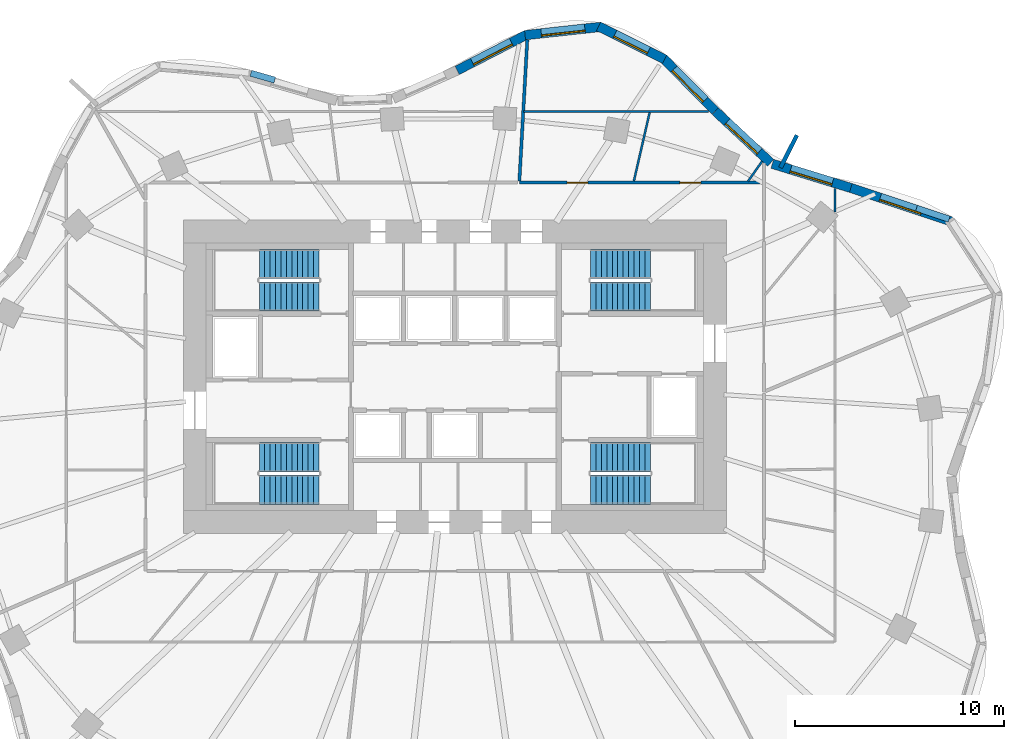
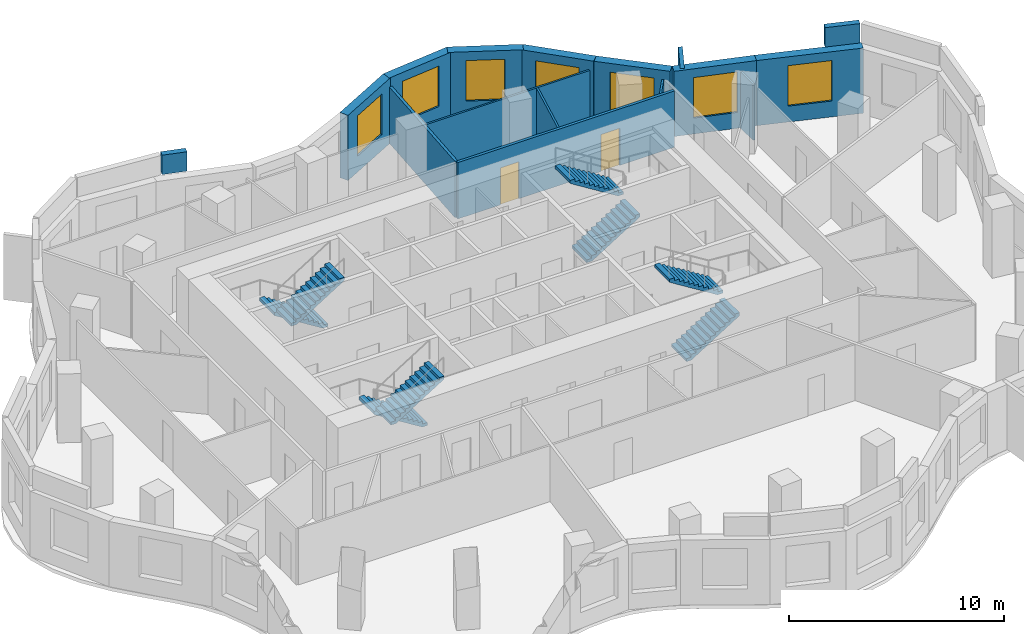
# One storey, part 8 of 9: 16 walls, 8 stair flights, 7 windows, 2 doors, 9 openings, 4 elements without a shape of their own.
"""IFC4 building model written with IfcOpenShell, lengths in metres."""

from ifc_helpers import new_model, si_unit, direction, frame, frame_2d, origin, place, context, subcontext, project, spatial, polyline, rectangle, outline, extrude, material, layer, layer_set, type_object, element, fill, aggregate, save


model = new_model("IFC4")

# Units and contexts
model_context = context("Model", 3, precision=1e-05, world=origin(), true_north=direction((0.0, 1.0)))
body_context = subcontext(model_context, "Body", "Model", "MODEL_VIEW")
ifc_project = project(units=[si_unit("LENGTHUNIT", "METRE"), si_unit("AREAUNIT", "SQUARE_METRE"), si_unit("VOLUMEUNIT", "CUBIC_METRE"), si_unit("PLANEANGLEUNIT", "RADIAN"), si_unit("MASSUNIT", "GRAM", prefix="KILO")], contexts=[model_context])

# Site, building, storey
site_placement = place(None, origin())
site = spatial("IfcSite", under=ifc_project, at=site_placement, CompositionType="ELEMENT")
building_placement = place(site_placement, origin())
building = spatial("IfcBuilding", under=site, at=building_placement, Name="Rubra Terraces Tower", CompositionType="ELEMENT")
storey_placement = place(building_placement, frame((0.0, 0.0, 142.199951171875)))
storey = spatial("IfcBuildingStorey", under=building, at=storey_placement, Name="L34", CompositionType="ELEMENT", Elevation=142.199951171875)

# Wall, opening, window
ifc_material_1 = material(Name="Brick masonry red-brown", Category="masonry")
ifc_layer_1 = layer(ifc_material_1, 0.449951171875)
ifc_layer_set_1 = layer_set([ifc_layer_1], Name="Brick masonry red-brown")
wall_type_1 = type_object("IfcWallType", Name="Brick facade wall 450", PredefinedType="SOLIDWALL", material=ifc_layer_set_1)
wall_1_placement = place(storey_placement, frame((23.769775390625, 11.93798828125, 0.0), z_axis=(0.0, 0.0, 1.0), x_axis=(-0.948673679101, 0.316256621402, 0.0)))
wall_1 = element("IfcWall", 1, at=wall_1_placement, inside=storey, type_object=wall_type_1, Name="Facade wall L34 bay 4", PredefinedType="SOLIDWALL", context=body_context, shape_type="SweptSolid", body=[
    extrude(rectangle(XDim=5.076416015625, YDim=0.449951171875, at=frame_2d((2.5380859375, 0.0))), origin(), (0.0, 0.0, 1.0), 3.699951171875),
])
opening_1_placement = place(wall_1_placement, frame((1.48828125, 0.0, 0.89990234375)))
opening_1 = element("IfcOpeningElement", 2, at=opening_1_placement, cuts=wall_1, Name="Opening W1B", PredefinedType="OPENING", context=body_context, shape_type="SweptSolid", body=[
    extrude(rectangle(XDim=2.10009765625, YDim=2.300048828125, at=frame_2d((1.050048828125, 1.14990234375))), frame((0.0, 0.23486328125, 0.0), z_axis=(0.0, -1.0, 0.0), x_axis=(1.0, 0.0, 0.0)), (0.0, 0.0, 1.0), 0.469970703125),
])
ifc_material_2 = material(Name="Clear glass in aluminium frame", Category="aluminium")
window_type_1 = type_object("IfcWindowType", Name="Fixed deep-set window tall storey 2100 x 2300", PartitioningType="SINGLE_PANEL", PredefinedType="WINDOW", material=ifc_material_2)
window_1_placement = place(opening_1_placement, origin())
window_1 = element("IfcWindow", 3, at=window_1_placement, inside=storey, type_object=window_type_1, Name="Window L34 bay 4", OverallHeight=2.300048828125, OverallWidth=2.10009765625, PartitioningType="SINGLE_PANEL", PredefinedType="WINDOW", context=body_context, shape_type="SweptSolid", body=[
    extrude(rectangle(XDim=2.10009765625, YDim=2.300048828125, at=frame_2d((1.050048828125, 1.14990234375))), frame((0.0, 0.135009765625, 0.0), z_axis=(0.0, -1.0, 0.0), x_axis=(1.0, 0.0, 0.0)), (0.0, 0.0, 1.0), 0.06005859375),
])
fill(opening_1, window_1)

wall_2_placement = place(storey_placement, frame((18.95751953125, 13.542236328125, 0.0), z_axis=(0.0, 0.0, 1.0), x_axis=(-0.955792437529, 0.294042201668, 0.0)))
wall_2 = element("IfcWall", 4, at=wall_2_placement, inside=storey, type_object=wall_type_1, Name="Facade wall L34 bay 5", PredefinedType="SOLIDWALL", context=body_context, shape_type="SweptSolid", body=[
    extrude(rectangle(XDim=3.9306640625, YDim=0.449951171875, at=frame_2d((1.96533203125, 0.0))), origin(), (0.0, 0.0, 1.0), 3.699951171875),
])
opening_2_placement = place(wall_2_placement, frame((0.915283203125, 0.0, 0.89990234375)))
opening_2 = element("IfcOpeningElement", 5, at=opening_2_placement, cuts=wall_2, Name="Opening W1B", PredefinedType="OPENING", context=body_context, shape_type="SweptSolid", body=[
    extrude(rectangle(XDim=2.10009765625, YDim=2.300048828125, at=frame_2d((1.050048828125, 1.14990234375))), frame((0.0, 0.23486328125, 0.0), z_axis=(0.0, -1.0, 0.0), x_axis=(1.0, 0.0, 0.0)), (0.0, 0.0, 1.0), 0.469970703125),
])
window_2_placement = place(opening_2_placement, origin())
window_2 = element("IfcWindow", 6, at=window_2_placement, inside=storey, type_object=window_type_1, Name="Window L34 bay 5", OverallHeight=2.300048828125, OverallWidth=2.10009765625, PartitioningType="SINGLE_PANEL", PredefinedType="WINDOW", context=body_context, shape_type="SweptSolid", body=[
    extrude(rectangle(XDim=2.10009765625, YDim=2.300048828125, at=frame_2d((1.050048828125, 1.14990234375))), frame((0.0, 0.135009765625, 0.0), z_axis=(0.0, -1.0, 0.0), x_axis=(1.0, 0.0, 0.0)), (0.0, 0.0, 1.0), 0.06005859375),
])
fill(opening_2, window_2)

wall_3_placement = place(storey_placement, frame((15.120849609375, 14.744873046875, 0.0), z_axis=(0.0, 0.0, 1.0), x_axis=(-0.730618259172, 0.68278617397, 0.0)))
wall_3 = element("IfcWall", 7, at=wall_3_placement, inside=storey, type_object=wall_type_1, Name="Facade wall L34 bay 6", PredefinedType="SOLIDWALL", context=body_context, shape_type="SweptSolid", body=[
    extrude(rectangle(XDim=3.6240234375, YDim=0.449951171875, at=frame_2d((1.81201171875, 0.0))), origin(), (0.0, 0.0, 1.0), 3.699951171875),
])
opening_3_placement = place(wall_3_placement, frame((0.76220703125, 0.0, 0.89990234375)))
opening_3 = element("IfcOpeningElement", 8, at=opening_3_placement, cuts=wall_3, Name="Opening W1B", PredefinedType="OPENING", context=body_context, shape_type="SweptSolid", body=[
    extrude(rectangle(XDim=2.10009765625, YDim=2.300048828125, at=frame_2d((1.050048828125, 1.14990234375))), frame((0.0, 0.23486328125, 0.0), z_axis=(0.0, -1.0, 0.0), x_axis=(1.0, 0.0, 0.0)), (0.0, 0.0, 1.0), 0.469970703125),
])
window_3_placement = place(opening_3_placement, origin())
window_3 = element("IfcWindow", 9, at=window_3_placement, inside=storey, type_object=window_type_1, Name="Window L34 bay 6", OverallHeight=2.300048828125, OverallWidth=2.10009765625, PartitioningType="SINGLE_PANEL", PredefinedType="WINDOW", context=body_context, shape_type="SweptSolid", body=[
    extrude(rectangle(XDim=2.10009765625, YDim=2.300048828125, at=frame_2d((1.050048828125, 1.14990234375))), frame((0.0, 0.135009765625, 0.0), z_axis=(0.0, -1.0, 0.0), x_axis=(1.0, 0.0, 0.0)), (0.0, 0.0, 1.0), 0.06005859375),
])
fill(opening_3, window_3)

wall_4_placement = place(storey_placement, frame((12.46630859375, 17.2255859375, 0.0), z_axis=(0.0, 0.0, 1.0), x_axis=(-0.701875966769, 0.712299183821, 0.0)))
wall_4 = element("IfcWall", 10, at=wall_4_placement, inside=storey, type_object=wall_type_1, Name="Facade wall L34 bay 7", PredefinedType="SOLIDWALL", context=body_context, shape_type="SweptSolid", body=[
    extrude(rectangle(XDim=3.536865234375, YDim=0.449951171875, at=frame_2d((1.7685546875, 0.0))), origin(), (0.0, 0.0, 1.0), 3.699951171875),
])
opening_4_placement = place(wall_4_placement, frame((0.71826171875, 0.0, 0.89990234375)))
opening_4 = element("IfcOpeningElement", 11, at=opening_4_placement, cuts=wall_4, Name="Opening W1B", PredefinedType="OPENING", context=body_context, shape_type="SweptSolid", body=[
    extrude(rectangle(XDim=2.10009765625, YDim=2.300048828125, at=frame_2d((1.050048828125, 1.14990234375))), frame((0.0, 0.23486328125, 0.0), z_axis=(0.0, -1.0, 0.0), x_axis=(1.0, 0.0, 0.0)), (0.0, 0.0, 1.0), 0.469970703125),
])
window_4_placement = place(opening_4_placement, origin())
window_4 = element("IfcWindow", 12, at=window_4_placement, inside=storey, type_object=window_type_1, Name="Window L34 bay 7", OverallHeight=2.300048828125, OverallWidth=2.10009765625, PartitioningType="SINGLE_PANEL", PredefinedType="WINDOW", context=body_context, shape_type="SweptSolid", body=[
    extrude(rectangle(XDim=2.10009765625, YDim=2.300048828125, at=frame_2d((1.050048828125, 1.14990234375))), frame((0.0, 0.135009765625, 0.0), z_axis=(0.0, -1.0, 0.0), x_axis=(1.0, 0.0, 0.0)), (0.0, 0.0, 1.0), 0.06005859375),
])
fill(opening_4, window_4)

wall_5_placement = place(storey_placement, frame((10.041748046875, 19.70361328125, 0.0), z_axis=(0.0, 0.0, 1.0), x_axis=(-0.895268695224, 0.445526613517, 0.0)))
wall_5 = element("IfcWall", 13, at=wall_5_placement, inside=storey, type_object=wall_type_1, Name="Facade wall L34 bay 8", PredefinedType="SOLIDWALL", context=body_context, shape_type="SweptSolid", body=[
    extrude(rectangle(XDim=3.532958984375, YDim=0.449951171875, at=frame_2d((1.7666015625, 0.0))), origin(), (0.0, 0.0, 1.0), 3.699951171875),
])
opening_5_placement = place(wall_5_placement, frame((0.866455078125, 0.0, 0.89990234375)))
opening_5 = element("IfcOpeningElement", 14, at=opening_5_placement, cuts=wall_5, Name="Opening W6B", PredefinedType="OPENING", context=body_context, shape_type="SweptSolid", body=[
    extrude(rectangle(XDim=1.800048828125, YDim=2.300048828125, at=frame_2d((0.89990234375, 1.14990234375))), frame((0.0, 0.23486328125, 0.0), z_axis=(0.0, -1.0, 0.0), x_axis=(1.0, 0.0, 0.0)), (0.0, 0.0, 1.0), 0.469970703125),
])
window_type_2 = type_object("IfcWindowType", Name="Fixed deep-set window at wind fin tall storey 1800 x 2300", PartitioningType="SINGLE_PANEL", PredefinedType="WINDOW", material=ifc_material_2)
window_5_placement = place(opening_5_placement, origin())
window_5 = element("IfcWindow", 15, at=window_5_placement, inside=storey, type_object=window_type_2, Name="Window L34 bay 8", OverallHeight=2.300048828125, OverallWidth=1.800048828125, PartitioningType="SINGLE_PANEL", PredefinedType="WINDOW", context=body_context, shape_type="SweptSolid", body=[
    extrude(rectangle(XDim=1.800048828125, YDim=2.300048828125, at=frame_2d((0.89990234375, 1.14990234375))), frame((0.0, 0.135009765625, 0.0), z_axis=(0.0, -1.0, 0.0), x_axis=(1.0, 0.0, 0.0)), (0.0, 0.0, 1.0), 0.06005859375),
])
fill(opening_5, window_5)

wall_6_placement = place(storey_placement, frame((7.00341796875, 21.25537109375, 0.0), z_axis=(0.0, 0.0, 1.0), x_axis=(-0.99407653264, -0.108682322638, 0.0)))
wall_6 = element("IfcWall", 16, at=wall_6_placement, inside=storey, type_object=wall_type_1, Name="Facade wall L34 bay 9", PredefinedType="SOLIDWALL", context=body_context, shape_type="SweptSolid", body=[
    extrude(rectangle(XDim=3.66162109375, YDim=0.449951171875, at=frame_2d((1.830810546875, 0.0))), origin(), (0.0, 0.0, 1.0), 3.699951171875),
])
opening_6_placement = place(wall_6_placement, frame((0.78076171875, 0.0, 0.89990234375)))
opening_6 = element("IfcOpeningElement", 17, at=opening_6_placement, cuts=wall_6, Name="Opening W1B", PredefinedType="OPENING", context=body_context, shape_type="SweptSolid", body=[
    extrude(rectangle(XDim=2.10009765625, YDim=2.300048828125, at=frame_2d((1.050048828125, 1.14990234375))), frame((0.0, 0.23486328125, 0.0), z_axis=(0.0, -1.0, 0.0), x_axis=(1.0, 0.0, 0.0)), (0.0, 0.0, 1.0), 0.469970703125),
])
window_6_placement = place(opening_6_placement, origin())
window_6 = element("IfcWindow", 18, at=window_6_placement, inside=storey, type_object=window_type_1, Name="Window L34 bay 9", OverallHeight=2.300048828125, OverallWidth=2.10009765625, PartitioningType="SINGLE_PANEL", PredefinedType="WINDOW", context=body_context, shape_type="SweptSolid", body=[
    extrude(rectangle(XDim=2.10009765625, YDim=2.300048828125, at=frame_2d((1.050048828125, 1.14990234375))), frame((0.0, 0.135009765625, 0.0), z_axis=(0.0, -1.0, 0.0), x_axis=(1.0, 0.0, 0.0)), (0.0, 0.0, 1.0), 0.06005859375),
])
fill(opening_6, window_6)

wall_7_placement = place(storey_placement, frame((3.439697265625, 20.879638671875, 0.0), z_axis=(0.0, 0.0, 1.0), x_axis=(-0.889471529144, -0.456990589446, 0.0)))
wall_7 = element("IfcWall", 19, at=wall_7_placement, inside=storey, type_object=wall_type_1, Name="Facade wall L34 bay 10", PredefinedType="SOLIDWALL", context=body_context, shape_type="SweptSolid", body=[
    extrude(rectangle(XDim=3.7353515625, YDim=0.449951171875, at=frame_2d((1.86767578125, 0.0))), origin(), (0.0, 0.0, 1.0), 3.699951171875),
])
opening_7_placement = place(wall_7_placement, frame((0.817626953125, 0.0, 0.89990234375)))
opening_7 = element("IfcOpeningElement", 20, at=opening_7_placement, cuts=wall_7, Name="Opening W1B", PredefinedType="OPENING", context=body_context, shape_type="SweptSolid", body=[
    extrude(rectangle(XDim=2.10009765625, YDim=2.300048828125, at=frame_2d((1.050048828125, 1.14990234375))), frame((0.0, 0.23486328125, 0.0), z_axis=(0.0, -1.0, 0.0), x_axis=(1.0, 0.0, 0.0)), (0.0, 0.0, 1.0), 0.469970703125),
])
window_7_placement = place(opening_7_placement, origin())
window_7 = element("IfcWindow", 21, at=window_7_placement, inside=storey, type_object=window_type_1, Name="Window L34 bay 10", OverallHeight=2.300048828125, OverallWidth=2.10009765625, PartitioningType="SINGLE_PANEL", PredefinedType="WINDOW", context=body_context, shape_type="SweptSolid", body=[
    extrude(rectangle(XDim=2.10009765625, YDim=2.300048828125, at=frame_2d((1.050048828125, 1.14990234375))), frame((0.0, 0.135009765625, 0.0), z_axis=(0.0, -1.0, 0.0), x_axis=(1.0, 0.0, 0.0)), (0.0, 0.0, 1.0), 0.06005859375),
])
fill(opening_7, window_7)

# Walls
ifc_layer_2 = layer(ifc_material_1, 0.300048828125)
ifc_layer_set_2 = layer_set([ifc_layer_2], Name="Brick masonry red-brown")
wall_type_2 = type_object("IfcWallType", Name="Brick parapet 300", PredefinedType="PARAPET", material=ifc_layer_set_2)
wall_8_placement = place(storey_placement, frame((23.669677734375, 12.05029296875, 3.900146484375), z_axis=(0.0, 0.0, 1.0), x_axis=(-0.948683298051, 0.316227766017, 0.0)))
element("IfcWall", 22, at=wall_8_placement, inside=storey, type_object=wall_type_2, Name="Parapet L34 bay 4", PredefinedType="PARAPET", context=body_context, shape_type="SweptSolid", body=[
    extrude(rectangle(XDim=1.654541015625, YDim=0.300048828125, at=frame_2d((0.8271484375, 0.0))), origin(), (0.0, 0.0, 1.0), 1.099853515625),
])
wall_9_placement = place(storey_placement, frame((-8.618896484375, 18.704345703125, 3.900146484375), z_axis=(0.0, 0.0, 1.0), x_axis=(-0.961097843869, 0.276208136212, 0.0)))
element("IfcWall", 23, at=wall_9_placement, inside=storey, type_object=wall_type_2, Name="Parapet L34 bay 13", PredefinedType="PARAPET", context=body_context, shape_type="SweptSolid", body=[
    extrude(rectangle(XDim=1.1923828125, YDim=0.300048828125, at=frame_2d((0.59619140625, 0.0))), origin(), (0.0, 0.0, 1.0), 1.099853515625),
])
ifc_layer_3 = layer(ifc_material_1, 0.199951171875)
ifc_layer_set_3 = layer_set([ifc_layer_3], Name="Brick masonry red-brown")
wall_type_3 = type_object("IfcWallType", Name="Brick wind fin 200", PredefinedType="SOLIDWALL", material=ifc_layer_set_3)
wall_10_placement = place(storey_placement, frame((15.5869140625, 14.507080078125, 0.0), z_axis=(0.0, 0.0, 1.0), x_axis=(0.452117231361, 0.89195852432, 0.0)))
element("IfcWall", 24, at=wall_10_placement, inside=storey, type_object=wall_type_3, Name="Wind fin L34 3", PredefinedType="SOLIDWALL", context=body_context, shape_type="SweptSolid", body=[
    extrude(rectangle(XDim=1.75, YDim=0.199951171875, at=frame_2d((0.875, 0.0))), origin(), (0.0, 0.0, 1.0), 3.699951171875),
])

# Wall, openings, doors
ifc_material_3 = material(Name="Plasterboard on steel stud, mineral wool infill", Category="steel")
ifc_layer_4 = layer(ifc_material_3, 0.14990234375)
ifc_layer_set_4 = layer_set([ifc_layer_4], Name="Plasterboard on steel stud, mineral wool infill")
wall_type_4 = type_object("IfcWallType", Name="CORRIDOR PARTITION 150", PredefinedType="PARTITIONING", material=ifc_layer_set_4)
wall_11_placement = place(storey_placement, frame((14.72509765625, 13.800048828125, 0.0), z_axis=(0.0, 0.0, 1.0), x_axis=(-1.0, 0.0, 0.0)))
wall_11 = element("IfcWall", 25, at=wall_11_placement, inside=storey, type_object=wall_type_4, Name="PARTITION", PredefinedType="PARTITIONING", context=body_context, shape_type="SweptSolid", body=[
    extrude(rectangle(XDim=11.638427734375, YDim=0.14990234375, at=frame_2d((5.8193359375, 0.0))), origin(), (0.0, 0.0, 1.0), 3.197998046875),
])
opening_8_placement = place(wall_11_placement, frame((2.949951171875, 0.0, 0.0)))
opening_8 = element("IfcOpeningElement", 26, at=opening_8_placement, cuts=wall_11, Name="Opening 34-124", PredefinedType="OPENING", context=body_context, shape_type="SweptSolid", body=[
    extrude(rectangle(XDim=1.0, YDim=2.10009765625, at=frame_2d((0.5, 1.050048828125))), frame((0.0, 0.0849609375, 0.0), z_axis=(0.0, -1.0, 0.0), x_axis=(1.0, 0.0, 0.0)), (0.0, 0.0, 1.0), 0.169921875),
])
opening_9_placement = place(wall_11_placement, frame((8.35009765625, 0.0, 0.0)))
opening_9 = element("IfcOpeningElement", 27, at=opening_9_placement, cuts=wall_11, Name="Opening 34-125", PredefinedType="OPENING", context=body_context, shape_type="SweptSolid", body=[
    extrude(rectangle(XDim=1.0, YDim=2.10009765625, at=frame_2d((0.5, 1.050048828125))), frame((0.0, 0.0849609375, 0.0), z_axis=(0.0, -1.0, 0.0), x_axis=(1.0, 0.0, 0.0)), (0.0, 0.0, 1.0), 0.169921875),
])
ifc_material_4 = material(Name="Painted timber door leaf", Category="wood")
door_type = type_object("IfcDoorType", Name="ROOM DOOR 1000 X 2100", OperationType="SINGLE_SWING_LEFT", PredefinedType="DOOR", material=ifc_material_4)
door_1_placement = place(opening_8_placement, origin())
door_1 = element("IfcDoor", 28, at=door_1_placement, inside=storey, type_object=door_type, Name="DOOR 34-124", OperationType="SINGLE_SWING_RIGHT", OverallHeight=2.10009765625, OverallWidth=1.0, PredefinedType="DOOR", context=body_context, shape_type="SweptSolid", body=[
    extrude(rectangle(XDim=1.0, YDim=2.10009765625, at=frame_2d((0.5, 1.050048828125))), frame((0.0, 0.02490234375, 0.0), z_axis=(0.0, -1.0, 0.0), x_axis=(1.0, 0.0, 0.0)), (0.0, 0.0, 1.0), 0.050048828125),
])
fill(opening_8, door_1)
door_2_placement = place(opening_9_placement, origin())
door_2 = element("IfcDoor", 29, at=door_2_placement, inside=storey, type_object=door_type, Name="DOOR 34-125", OperationType="SINGLE_SWING_RIGHT", OverallHeight=2.10009765625, OverallWidth=1.0, PredefinedType="DOOR", context=body_context, shape_type="SweptSolid", body=[
    extrude(rectangle(XDim=1.0, YDim=2.10009765625, at=frame_2d((0.5, 1.050048828125))), frame((0.0, 0.02490234375, 0.0), z_axis=(0.0, -1.0, 0.0), x_axis=(1.0, 0.0, 0.0)), (0.0, 0.0, 1.0), 0.050048828125),
])
fill(opening_9, door_2)

# Walls
ifc_material_5 = material(Name="Plasterboard on steel stud", Category="steel")
ifc_layer_5 = layer(ifc_material_5, 0.10009765625)
ifc_layer_set_5 = layer_set([ifc_layer_5], Name="Plasterboard on steel stud")
wall_type_5 = type_object("IfcWallType", Name="ROOM PARTITION 100", PredefinedType="PARTITIONING", material=ifc_layer_set_5)
wall_12_placement = place(storey_placement, frame((3.297607421875, 17.199951171875, 0.0), z_axis=(0.0, 0.0, 1.0), x_axis=(1.0, 0.0, 0.0)))
element("IfcWall", 30, at=wall_12_placement, inside=storey, type_object=wall_type_5, Name="PARTITION", PredefinedType="PARTITIONING", context=body_context, shape_type="SweptSolid", body=[
    extrude(rectangle(XDim=8.85009765625, YDim=0.10009765625, at=frame_2d((4.425048828125, 0.0))), origin(), (0.0, 0.0, 1.0), 3.18408203125),
])
wall_13_placement = place(storey_placement, frame((18.199951171875, 13.51904296875, 0.0), z_axis=(0.0, 0.0, 1.0), x_axis=(0.0, -1.0, 0.0)))
element("IfcWall", 31, at=wall_13_placement, inside=storey, type_object=wall_type_5, Name="PARTITION", PredefinedType="PARTITIONING", context=body_context, shape_type="SweptSolid", body=[
    extrude(rectangle(XDim=1.1376953125, YDim=0.10009765625, at=frame_2d((0.56884765625, 0.0))), origin(), (0.0, 0.0, 1.0), 3.18408203125),
])
wall_14_placement = place(storey_placement, frame((14.03515625, 13.861083984375, 0.0), z_axis=(0.0, 0.0, 1.0), x_axis=(0.57745118401, 0.816425214019, 0.0)))
element("IfcWall", 32, at=wall_14_placement, inside=storey, type_object=wall_type_5, Name="PARTITION", PredefinedType="PARTITIONING", context=body_context, shape_type="SweptSolid", body=[
    extrude(rectangle(XDim=1.1728515625, YDim=0.10009765625, at=frame_2d((0.58642578125, 0.0))), origin(), (0.0, 0.0, 1.0), 3.18408203125),
])
wall_15_placement = place(storey_placement, frame((8.572509765625, 13.873046875, 0.0), z_axis=(0.0, 0.0, 1.0), x_axis=(0.224048430302, 0.974578011695, 0.0)))
element("IfcWall", 33, at=wall_15_placement, inside=storey, type_object=wall_type_5, Name="PARTITION", PredefinedType="PARTITIONING", context=body_context, shape_type="SweptSolid", body=[
    extrude(rectangle(XDim=3.36376953125, YDim=0.10009765625, at=frame_2d((1.681884765625, 0.0))), origin(), (0.0, 0.0, 1.0), 3.18408203125),
])
ifc_layer_6 = layer(ifc_material_5, 0.14990234375)
ifc_layer_set_6 = layer_set([ifc_layer_6], Name="Plasterboard on steel stud")
wall_type_6 = type_object("IfcWallType", Name="ROOM PARTITION 150", PredefinedType="PARTITIONING", material=ifc_layer_set_6)
wall_16_placement = place(storey_placement, frame((3.47021484375, 20.63818359375, 0.0), z_axis=(0.0, 0.0, 1.0), x_axis=(-0.056008975247, -0.998430265312, 0.0)))
element("IfcWall", 34, at=wall_16_placement, inside=storey, type_object=wall_type_6, Name="PARTITION", PredefinedType="PARTITIONING", context=body_context, shape_type="SweptSolid", body=[
    extrude(rectangle(XDim=6.77392578125, YDim=0.14990234375, at=frame_2d((3.386962890625, 0.0))), origin(), (0.0, 0.0, 1.0), 3.197998046875),
])

# Stair, stair flights
ifc_material_6 = material(Name="Concrete C40", Category="concrete")
stair_type = type_object("IfcStairType", Name="Core stair 1400", PredefinedType="HALF_TURN_STAIR", material=ifc_material_6)
stair_1_placement = place(storey_placement, origin())
stair_1 = element("IfcStair", 35, at=stair_1_placement, inside=storey, type_object=stair_type, Name="L34 Exit stair S1", PredefinedType="HALF_TURN_STAIR")
stair_flight_type = type_object("IfcStairFlightType", Name="Core stair flight 1400", PredefinedType="STRAIGHT", material=ifc_material_6)
stair_flight_1_placement = place(storey_placement, frame((-6.5, 0.64990234375, 0.0), z_axis=(0.0, 0.0, 1.0), x_axis=(-1.0, 0.0, 0.0)))
stair_flight_1 = element("IfcStairFlight", 36, at=stair_flight_1_placement, type_object=stair_flight_type, Name="S1 flight 1", NumberOfRisers=12, NumberOfTreads=11, PredefinedType="STRAIGHT", RiserHeight=0.1625, TreadLength=0.26, context=body_context, shape_type="SweptSolid", body=[
    extrude(outline(polyline([(0.0, 0.0), (0.0, 0.16259765625), (0.260009765625, 0.16259765625), (0.260009765625, 0.324951171875), (0.52001953125, 0.324951171875), (0.52001953125, 0.487548828125), (0.780029296875, 0.487548828125), (0.780029296875, 0.64990234375), (1.0400390625, 0.64990234375), (1.0400390625, 0.8125), (1.300048828125, 0.8125), (1.300048828125, 0.97509765625), (1.56005859375, 0.97509765625), (1.56005859375, 1.137451171875), (1.820068359375, 1.137451171875), (1.820068359375, 1.300048828125), (2.080078125, 1.300048828125), (2.080078125, 1.46240234375), (2.340087890625, 1.46240234375), (2.340087890625, 1.625), (2.60009765625, 1.625), (2.60009765625, 1.78759765625), (2.860107421875, 1.78759765625), (2.860107421875, 1.949951171875), (2.860107421875, 1.61083984375), (0.28271484375, 0.0), (0.0, 0.0)])), frame((0.0, 0.699951171875, 0.0), z_axis=(0.0, -1.0, 0.0), x_axis=(1.0, 0.0, 0.0)), (0.0, 0.0, 1.0), 1.39990234375),
])
stair_flight_2_placement = place(storey_placement, frame((-9.360107421875, -0.89990234375, 1.949951171875), z_axis=(0.0, 0.0, 1.0), x_axis=(1.0, 0.0, 0.0)))
stair_flight_2 = element("IfcStairFlight", 37, at=stair_flight_2_placement, type_object=stair_flight_type, Name="S1 flight 2", NumberOfRisers=12, NumberOfTreads=11, PredefinedType="STRAIGHT", RiserHeight=0.1625, TreadLength=0.26, context=body_context, shape_type="SweptSolid", body=[
    extrude(outline(polyline([(0.0, 0.0), (0.0, 0.16259765625), (0.260009765625, 0.16259765625), (0.260009765625, 0.324951171875), (0.52001953125, 0.324951171875), (0.52001953125, 0.487548828125), (0.780029296875, 0.487548828125), (0.780029296875, 0.64990234375), (1.0400390625, 0.64990234375), (1.0400390625, 0.8125), (1.300048828125, 0.8125), (1.300048828125, 0.97509765625), (1.56005859375, 0.97509765625), (1.56005859375, 1.137451171875), (1.820068359375, 1.137451171875), (1.820068359375, 1.300048828125), (2.080078125, 1.300048828125), (2.080078125, 1.46240234375), (2.340087890625, 1.46240234375), (2.340087890625, 1.625), (2.60009765625, 1.625), (2.60009765625, 1.78759765625), (2.860107421875, 1.78759765625), (2.860107421875, 1.949951171875), (2.860107421875, 1.61083984375), (0.28271484375, 0.0), (0.0, 0.0)])), frame((0.0, 0.699951171875, 0.0), z_axis=(0.0, -1.0, 0.0), x_axis=(1.0, 0.0, 0.0)), (0.0, 0.0, 1.0), 1.39990234375),
])
aggregate(stair_1, [stair_flight_1, stair_flight_2])

stair_2_placement = place(storey_placement, origin())
stair_2 = element("IfcStair", 38, at=stair_2_placement, inside=storey, type_object=stair_type, Name="L34 Exit stair S2", PredefinedType="HALF_TURN_STAIR")
stair_flight_3_placement = place(storey_placement, frame((-6.5, 9.89990234375, 0.0), z_axis=(0.0, 0.0, 1.0), x_axis=(-1.0, 0.0, 0.0)))
stair_flight_3 = element("IfcStairFlight", 39, at=stair_flight_3_placement, type_object=stair_flight_type, Name="S2 flight 1", NumberOfRisers=12, NumberOfTreads=11, PredefinedType="STRAIGHT", RiserHeight=0.1625, TreadLength=0.26, context=body_context, shape_type="SweptSolid", body=[
    extrude(outline(polyline([(0.0, 0.0), (0.0, 0.16259765625), (0.260009765625, 0.16259765625), (0.260009765625, 0.324951171875), (0.52001953125, 0.324951171875), (0.52001953125, 0.487548828125), (0.780029296875, 0.487548828125), (0.780029296875, 0.64990234375), (1.0400390625, 0.64990234375), (1.0400390625, 0.8125), (1.300048828125, 0.8125), (1.300048828125, 0.97509765625), (1.56005859375, 0.97509765625), (1.56005859375, 1.137451171875), (1.820068359375, 1.137451171875), (1.820068359375, 1.300048828125), (2.080078125, 1.300048828125), (2.080078125, 1.46240234375), (2.340087890625, 1.46240234375), (2.340087890625, 1.625), (2.60009765625, 1.625), (2.60009765625, 1.78759765625), (2.860107421875, 1.78759765625), (2.860107421875, 1.949951171875), (2.860107421875, 1.61083984375), (0.28271484375, 0.0), (0.0, 0.0)])), frame((0.0, 0.699951171875, 0.0), z_axis=(0.0, -1.0, 0.0), x_axis=(1.0, 0.0, 0.0)), (0.0, 0.0, 1.0), 1.39990234375),
])
stair_flight_4_placement = place(storey_placement, frame((-9.360107421875, 8.35009765625, 1.949951171875), z_axis=(0.0, 0.0, 1.0), x_axis=(1.0, 0.0, 0.0)))
stair_flight_4 = element("IfcStairFlight", 40, at=stair_flight_4_placement, type_object=stair_flight_type, Name="S2 flight 2", NumberOfRisers=12, NumberOfTreads=11, PredefinedType="STRAIGHT", RiserHeight=0.1625, TreadLength=0.26, context=body_context, shape_type="SweptSolid", body=[
    extrude(outline(polyline([(0.0, 0.0), (0.0, 0.16259765625), (0.260009765625, 0.16259765625), (0.260009765625, 0.324951171875), (0.52001953125, 0.324951171875), (0.52001953125, 0.487548828125), (0.780029296875, 0.487548828125), (0.780029296875, 0.64990234375), (1.0400390625, 0.64990234375), (1.0400390625, 0.8125), (1.300048828125, 0.8125), (1.300048828125, 0.97509765625), (1.56005859375, 0.97509765625), (1.56005859375, 1.137451171875), (1.820068359375, 1.137451171875), (1.820068359375, 1.300048828125), (2.080078125, 1.300048828125), (2.080078125, 1.46240234375), (2.340087890625, 1.46240234375), (2.340087890625, 1.625), (2.60009765625, 1.625), (2.60009765625, 1.78759765625), (2.860107421875, 1.78759765625), (2.860107421875, 1.949951171875), (2.860107421875, 1.61083984375), (0.28271484375, 0.0), (0.0, 0.0)])), frame((0.0, 0.699951171875, 0.0), z_axis=(0.0, -1.0, 0.0), x_axis=(1.0, 0.0, 0.0)), (0.0, 0.0, 1.0), 1.39990234375),
])
aggregate(stair_2, [stair_flight_3, stair_flight_4])

stair_3_placement = place(storey_placement, origin())
stair_3 = element("IfcStair", 41, at=stair_3_placement, inside=storey, type_object=stair_type, Name="L34 Exit stair S3", PredefinedType="HALF_TURN_STAIR")
stair_flight_5_placement = place(storey_placement, frame((6.5, 8.35009765625, 0.0), z_axis=(0.0, 0.0, 1.0), x_axis=(1.0, 0.0, 0.0)))
stair_flight_5 = element("IfcStairFlight", 42, at=stair_flight_5_placement, type_object=stair_flight_type, Name="S3 flight 1", NumberOfRisers=12, NumberOfTreads=11, PredefinedType="STRAIGHT", RiserHeight=0.1625, TreadLength=0.26, context=body_context, shape_type="SweptSolid", body=[
    extrude(outline(polyline([(0.0, 0.0), (0.0, 0.16259765625), (0.260009765625, 0.16259765625), (0.260009765625, 0.324951171875), (0.52001953125, 0.324951171875), (0.52001953125, 0.487548828125), (0.780029296875, 0.487548828125), (0.780029296875, 0.64990234375), (1.0400390625, 0.64990234375), (1.0400390625, 0.8125), (1.300048828125, 0.8125), (1.300048828125, 0.97509765625), (1.56005859375, 0.97509765625), (1.56005859375, 1.137451171875), (1.820068359375, 1.137451171875), (1.820068359375, 1.300048828125), (2.080078125, 1.300048828125), (2.080078125, 1.46240234375), (2.340087890625, 1.46240234375), (2.340087890625, 1.625), (2.60009765625, 1.625), (2.60009765625, 1.78759765625), (2.860107421875, 1.78759765625), (2.860107421875, 1.949951171875), (2.860107421875, 1.61083984375), (0.28271484375, 0.0), (0.0, 0.0)])), frame((0.0, 0.699951171875, 0.0), z_axis=(0.0, -1.0, 0.0), x_axis=(1.0, 0.0, 0.0)), (0.0, 0.0, 1.0), 1.39990234375),
])
stair_flight_6_placement = place(storey_placement, frame((9.360107421875, 9.89990234375, 1.949951171875), z_axis=(0.0, 0.0, 1.0), x_axis=(-1.0, 0.0, 0.0)))
stair_flight_6 = element("IfcStairFlight", 43, at=stair_flight_6_placement, type_object=stair_flight_type, Name="S3 flight 2", NumberOfRisers=12, NumberOfTreads=11, PredefinedType="STRAIGHT", RiserHeight=0.1625, TreadLength=0.26, context=body_context, shape_type="SweptSolid", body=[
    extrude(outline(polyline([(0.0, 0.0), (0.0, 0.16259765625), (0.260009765625, 0.16259765625), (0.260009765625, 0.324951171875), (0.52001953125, 0.324951171875), (0.52001953125, 0.487548828125), (0.780029296875, 0.487548828125), (0.780029296875, 0.64990234375), (1.0400390625, 0.64990234375), (1.0400390625, 0.8125), (1.300048828125, 0.8125), (1.300048828125, 0.97509765625), (1.56005859375, 0.97509765625), (1.56005859375, 1.137451171875), (1.820068359375, 1.137451171875), (1.820068359375, 1.300048828125), (2.080078125, 1.300048828125), (2.080078125, 1.46240234375), (2.340087890625, 1.46240234375), (2.340087890625, 1.625), (2.60009765625, 1.625), (2.60009765625, 1.78759765625), (2.860107421875, 1.78759765625), (2.860107421875, 1.949951171875), (2.860107421875, 1.61083984375), (0.28271484375, 0.0), (0.0, 0.0)])), frame((0.0, 0.699951171875, 0.0), z_axis=(0.0, -1.0, 0.0), x_axis=(1.0, 0.0, 0.0)), (0.0, 0.0, 1.0), 1.39990234375),
])
aggregate(stair_3, [stair_flight_5, stair_flight_6])

stair_4_placement = place(storey_placement, origin())
stair_4 = element("IfcStair", 44, at=stair_4_placement, inside=storey, type_object=stair_type, Name="L34 Exit stair S4", PredefinedType="HALF_TURN_STAIR")
stair_flight_7_placement = place(storey_placement, frame((6.5, -0.89990234375, 0.0), z_axis=(0.0, 0.0, 1.0), x_axis=(1.0, 0.0, 0.0)))
stair_flight_7 = element("IfcStairFlight", 45, at=stair_flight_7_placement, type_object=stair_flight_type, Name="S4 flight 1", NumberOfRisers=12, NumberOfTreads=11, PredefinedType="STRAIGHT", RiserHeight=0.1625, TreadLength=0.26, context=body_context, shape_type="SweptSolid", body=[
    extrude(outline(polyline([(0.0, 0.0), (0.0, 0.16259765625), (0.260009765625, 0.16259765625), (0.260009765625, 0.324951171875), (0.52001953125, 0.324951171875), (0.52001953125, 0.487548828125), (0.780029296875, 0.487548828125), (0.780029296875, 0.64990234375), (1.0400390625, 0.64990234375), (1.0400390625, 0.8125), (1.300048828125, 0.8125), (1.300048828125, 0.97509765625), (1.56005859375, 0.97509765625), (1.56005859375, 1.137451171875), (1.820068359375, 1.137451171875), (1.820068359375, 1.300048828125), (2.080078125, 1.300048828125), (2.080078125, 1.46240234375), (2.340087890625, 1.46240234375), (2.340087890625, 1.625), (2.60009765625, 1.625), (2.60009765625, 1.78759765625), (2.860107421875, 1.78759765625), (2.860107421875, 1.949951171875), (2.860107421875, 1.61083984375), (0.28271484375, 0.0), (0.0, 0.0)])), frame((0.0, 0.699951171875, 0.0), z_axis=(0.0, -1.0, 0.0), x_axis=(1.0, 0.0, 0.0)), (0.0, 0.0, 1.0), 1.39990234375),
])
stair_flight_8_placement = place(storey_placement, frame((9.360107421875, 0.64990234375, 1.949951171875), z_axis=(0.0, 0.0, 1.0), x_axis=(-1.0, 0.0, 0.0)))
stair_flight_8 = element("IfcStairFlight", 46, at=stair_flight_8_placement, type_object=stair_flight_type, Name="S4 flight 2", NumberOfRisers=12, NumberOfTreads=11, PredefinedType="STRAIGHT", RiserHeight=0.1625, TreadLength=0.26, context=body_context, shape_type="SweptSolid", body=[
    extrude(outline(polyline([(0.0, 0.0), (0.0, 0.16259765625), (0.260009765625, 0.16259765625), (0.260009765625, 0.324951171875), (0.52001953125, 0.324951171875), (0.52001953125, 0.487548828125), (0.780029296875, 0.487548828125), (0.780029296875, 0.64990234375), (1.0400390625, 0.64990234375), (1.0400390625, 0.8125), (1.300048828125, 0.8125), (1.300048828125, 0.97509765625), (1.56005859375, 0.97509765625), (1.56005859375, 1.137451171875), (1.820068359375, 1.137451171875), (1.820068359375, 1.300048828125), (2.080078125, 1.300048828125), (2.080078125, 1.46240234375), (2.340087890625, 1.46240234375), (2.340087890625, 1.625), (2.60009765625, 1.625), (2.60009765625, 1.78759765625), (2.860107421875, 1.78759765625), (2.860107421875, 1.949951171875), (2.860107421875, 1.61083984375), (0.28271484375, 0.0), (0.0, 0.0)])), frame((0.0, 0.699951171875, 0.0), z_axis=(0.0, -1.0, 0.0), x_axis=(1.0, 0.0, 0.0)), (0.0, 0.0, 1.0), 1.39990234375),
])
aggregate(stair_4, [stair_flight_7, stair_flight_8])

save(model, "model.ifc")
